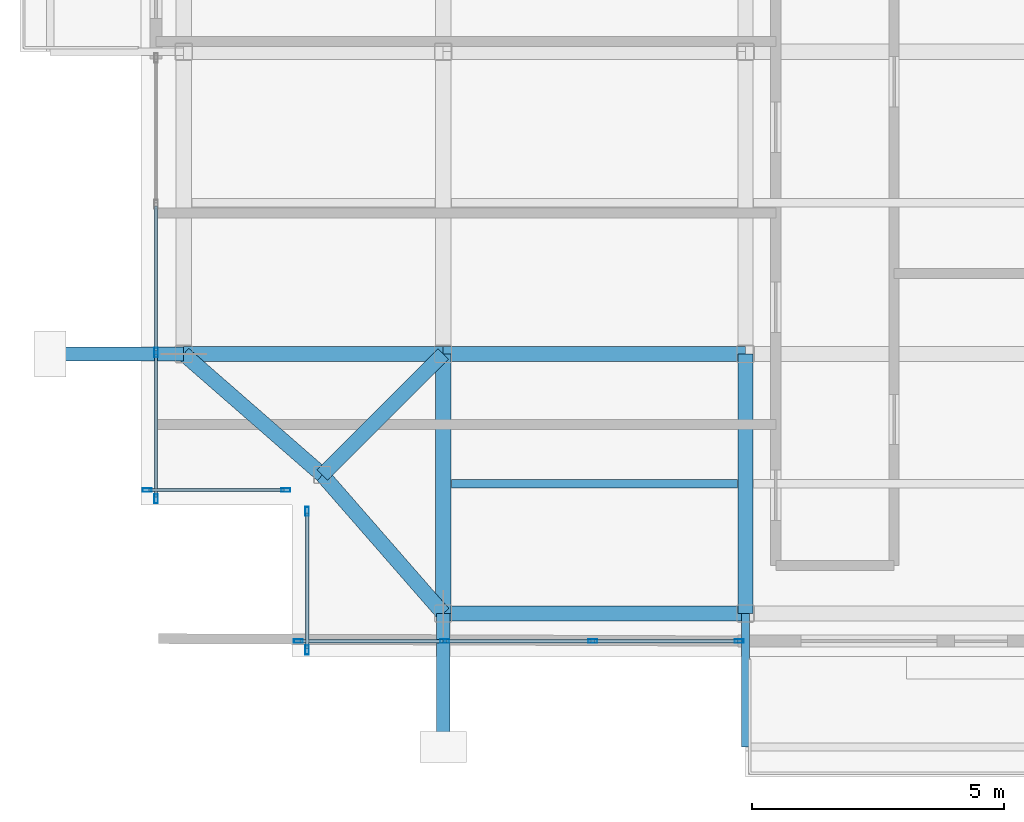
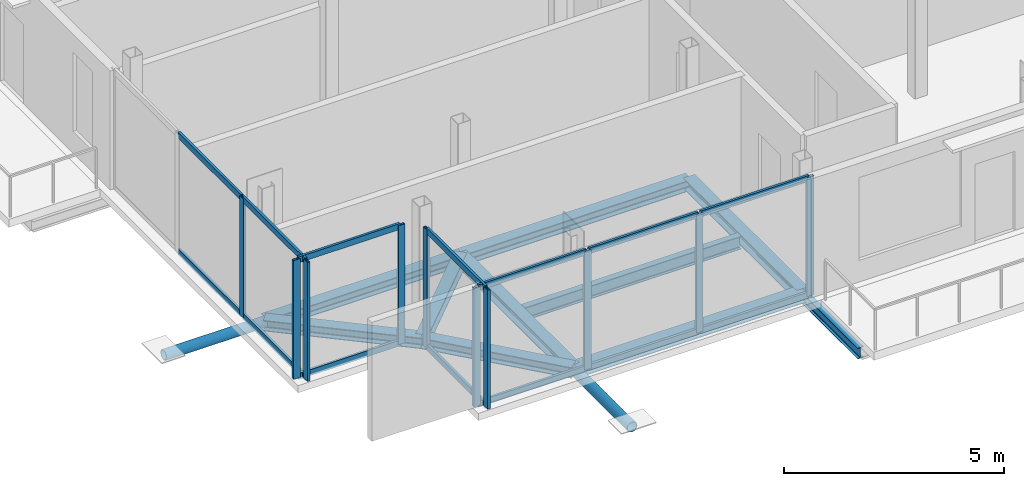
# One storey, part 2 of 18: 26 members, 10 beams, 4 elements without a shape of their own.
"""IFC4 building model written with IfcOpenShell, lengths in metres."""

from ifc_helpers import new_model, si_unit, direction, frame, origin, origin_2d, place, context, subcontext, project, spatial, hollow_rectangle, hollow_circle, i_section, extrude, material, layer, layer_set, material_profile, profile_set, type_object, element, aggregate, save


model = new_model("IFC4")

# Units and contexts
model_context = context("Model", 3, precision=1e-05, world=origin(), true_north=direction((0.0, 1.0)))
body_context = subcontext(model_context, "Body", "Model", "MODEL_VIEW")
ifc_project = project(units=[si_unit("LENGTHUNIT", "METRE"), si_unit("AREAUNIT", "SQUARE_METRE"), si_unit("VOLUMEUNIT", "CUBIC_METRE"), si_unit("PLANEANGLEUNIT", "RADIAN"), si_unit("MASSUNIT", "GRAM", prefix="KILO"), si_unit("THERMODYNAMICTEMPERATUREUNIT", "KELVIN"), si_unit("POWERUNIT", "WATT")], contexts=[model_context])

# Site, building, storey
site_placement = place(None, origin())
site = spatial("IfcSite", under=ifc_project, at=site_placement, CompositionType="ELEMENT")
building_placement = place(site_placement, origin())
building = spatial("IfcBuilding", under=site, at=building_placement, Name="Svarakhadi Broadcast Tower", CompositionType="ELEMENT")
storey_placement = place(building_placement, frame((0.0, 0.0, 278.199951171875)))
storey = spatial("IfcBuildingStorey", under=building, at=storey_placement, Name="L70", CompositionType="ELEMENT", Elevation=278.199951171875)

# Beam
ifc_material_1 = material(Name="Steel S355J2 (IS 2062 E350C)", Category="steel")
ifc_material_profile_1 = material_profile(ifc_material_1, i_section(OverallWidth=0.169921875, OverallDepth=0.360107421875, WebThickness=0.008056640625, FlangeThickness=0.0126953125, FilletRadius=0.01806640625, at=origin_2d()), Name="NPB 360x170x57")
ifc_profile_set_1 = profile_set([ifc_material_profile_1], Name="Steel S355J2 (IS 2062 E350C)")
beam_type_1 = type_object("IfcBeamType", Name="Beam_NPB360", PredefinedType="BEAM", material=ifc_profile_set_1)
beam_1_placement = place(storey_placement, frame((6.159912109375, 3.425048828125, -0.3798828125), z_axis=(1.0, 0.0, 0.0), x_axis=(0.0, 1.0, 0.0)))
element("IfcBeam", 1, at=beam_1_placement, inside=storey, type_object=beam_type_1, Name="L70 Secondary Composite Beam SB004", PredefinedType="BEAM", context=body_context, shape_type="SweptSolid", body=[
    extrude(i_section(OverallWidth=0.169921875, OverallDepth=0.360107421875, WebThickness=0.008056640625, FlangeThickness=0.0126953125, FilletRadius=0.01806640625, at=origin_2d()), origin(), (0.0, 0.0, 1.0), 5.68017578125),
])

# Curtain wall, members
ifc_material_2 = material(Name="Anodised Bronze Aluminium AA 6063-T6", Category="aluminium")
ifc_layer = layer(ifc_material_2, 0.179931640625)
ifc_layer_set = layer_set([ifc_layer], Name="Anodised Bronze Aluminium AA 6063-T6")
curtain_wall_type = type_object("IfcCurtainWallType", Name="CW_Sys_05", PredefinedType="NOTDEFINED", material=ifc_layer_set)
curtain_wall_1_placement = place(storey_placement, origin())
curtain_wall_1 = element("IfcCurtainWall", 2, at=curtain_wall_1_placement, inside=storey, type_object=curtain_wall_type, Name="L70 Unitised Facade Curtain Wall 01", PredefinedType="NOTDEFINED")
ifc_material_profile_2 = material_profile(ifc_material_2, hollow_rectangle(XDim=0.070068359375, YDim=0.179931640625, WallThickness=0.005615234375, at=origin_2d()), Name="ALU MULLION 180x70x6")
ifc_profile_set_2 = profile_set([ifc_material_profile_2], Name="Anodised Bronze Aluminium AA 6063-T6")
member_type_1 = type_object("IfcMemberType", Name="CW_Sys_05_Mul", PredefinedType="MULLION", material=ifc_profile_set_2)
member_1_placement = place(storey_placement, frame((2.875, 3.300048828125, 0.0), z_axis=(0.0, 0.0, 1.0), x_axis=(0.0, -1.0, 0.0)))
member_1 = element("IfcMember", 3, at=member_1_placement, type_object=member_type_1, Name="CW-05 mullion 1", PredefinedType="MULLION", context=body_context, shape_type="SweptSolid", body=[
    extrude(hollow_rectangle(XDim=0.070068359375, YDim=0.179931640625, WallThickness=0.005615234375, at=origin_2d()), origin(), (0.0, 0.0, 1.0), 3.300048828125),
])
member_2_placement = place(storey_placement, frame((0.125, 3.300048828125, 0.0), z_axis=(0.0, 0.0, 1.0), x_axis=(0.0, -1.0, 0.0)))
member_2 = element("IfcMember", 4, at=member_2_placement, type_object=member_type_1, Name="CW-05 mullion 2", PredefinedType="MULLION", context=body_context, shape_type="SweptSolid", body=[
    extrude(hollow_rectangle(XDim=0.070068359375, YDim=0.179931640625, WallThickness=0.005615234375, at=origin_2d()), origin(), (0.0, 0.0, 1.0), 3.300048828125),
])

curtain_wall_2_placement = place(storey_placement, origin())
curtain_wall_2 = element("IfcCurtainWall", 5, at=curtain_wall_2_placement, inside=storey, type_object=curtain_wall_type, Name="L70 West Curtain Wall 02", PredefinedType="NOTDEFINED")
member_3_placement = place(storey_placement, frame((0.300048828125, 3.125, 0.0), z_axis=(0.0, 0.0, 1.0), x_axis=(-1.0, 0.0, 0.0)))
member_3 = element("IfcMember", 6, at=member_3_placement, type_object=member_type_1, Name="CW-05 mullion 1", PredefinedType="MULLION", context=body_context, shape_type="SweptSolid", body=[
    extrude(hollow_rectangle(XDim=0.070068359375, YDim=0.179931640625, WallThickness=0.005615234375, at=origin_2d()), origin(), (0.0, 0.0, 1.0), 3.300048828125),
])
member_4_placement = place(storey_placement, frame((0.300048828125, 6.030029296875, 0.0), z_axis=(0.0, 0.0, 1.0), x_axis=(-1.0, 0.0, 0.0)))
member_4 = element("IfcMember", 7, at=member_4_placement, type_object=member_type_1, Name="CW-05 mullion 2", PredefinedType="MULLION", context=body_context, shape_type="SweptSolid", body=[
    extrude(hollow_rectangle(XDim=0.070068359375, YDim=0.179931640625, WallThickness=0.005615234375, at=origin_2d()), origin(), (0.0, 0.0, 1.0), 3.300048828125),
])

curtain_wall_3_placement = place(storey_placement, origin())
curtain_wall_3 = element("IfcCurtainWall", 8, at=curtain_wall_3_placement, inside=storey, type_object=curtain_wall_type, Name="L70 South Curtain Wall 17", PredefinedType="NOTDEFINED")
member_5_placement = place(storey_placement, frame((11.875, 0.300048828125, 0.0), z_axis=(0.0, 0.0, 1.0), x_axis=(0.0, -1.0, 0.0)))
member_5 = element("IfcMember", 9, at=member_5_placement, type_object=member_type_1, Name="CW-05 mullion 1", PredefinedType="MULLION", context=body_context, shape_type="SweptSolid", body=[
    extrude(hollow_rectangle(XDim=0.070068359375, YDim=0.179931640625, WallThickness=0.005615234375, at=origin_2d()), origin(), (0.0, 0.0, 1.0), 3.300048828125),
])
member_6_placement = place(storey_placement, frame((8.969970703125, 0.300048828125, 0.0), z_axis=(0.0, 0.0, 1.0), x_axis=(0.0, -1.0, 0.0)))
member_6 = element("IfcMember", 10, at=member_6_placement, type_object=member_type_1, Name="CW-05 mullion 2", PredefinedType="MULLION", context=body_context, shape_type="SweptSolid", body=[
    extrude(hollow_rectangle(XDim=0.070068359375, YDim=0.179931640625, WallThickness=0.005615234375, at=origin_2d()), origin(), (0.0, 0.0, 1.0), 3.300048828125),
])
member_7_placement = place(storey_placement, frame((6.030029296875, 0.300048828125, 0.0), z_axis=(0.0, 0.0, 1.0), x_axis=(0.0, -1.0, 0.0)))
member_7 = element("IfcMember", 11, at=member_7_placement, type_object=member_type_1, Name="CW-05 mullion 3", PredefinedType="MULLION", context=body_context, shape_type="SweptSolid", body=[
    extrude(hollow_rectangle(XDim=0.070068359375, YDim=0.179931640625, WallThickness=0.005615234375, at=origin_2d()), origin(), (0.0, 0.0, 1.0), 3.300048828125),
])
member_8_placement = place(storey_placement, frame((3.125, 0.300048828125, 0.0), z_axis=(0.0, 0.0, 1.0), x_axis=(0.0, -1.0, 0.0)))
member_8 = element("IfcMember", 12, at=member_8_placement, type_object=member_type_1, Name="CW-05 mullion 4", PredefinedType="MULLION", context=body_context, shape_type="SweptSolid", body=[
    extrude(hollow_rectangle(XDim=0.070068359375, YDim=0.179931640625, WallThickness=0.005615234375, at=origin_2d()), origin(), (0.0, 0.0, 1.0), 3.300048828125),
])

curtain_wall_4_placement = place(storey_placement, origin())
curtain_wall_4 = element("IfcCurtainWall", 13, at=curtain_wall_4_placement, inside=storey, type_object=curtain_wall_type, Name="L70 Unitised Facade Curtain Wall 18", PredefinedType="NOTDEFINED")
member_9_placement = place(storey_placement, frame((3.300048828125, 0.125, 0.0), z_axis=(0.0, 0.0, 1.0), x_axis=(-1.0, 0.0, 0.0)))
member_9 = element("IfcMember", 14, at=member_9_placement, type_object=member_type_1, Name="CW-05 mullion 1", PredefinedType="MULLION", context=body_context, shape_type="SweptSolid", body=[
    extrude(hollow_rectangle(XDim=0.070068359375, YDim=0.179931640625, WallThickness=0.005615234375, at=origin_2d()), origin(), (0.0, 0.0, 1.0), 3.300048828125),
])
member_10_placement = place(storey_placement, frame((3.300048828125, 2.875, 0.0), z_axis=(0.0, 0.0, 1.0), x_axis=(-1.0, 0.0, 0.0)))
member_10 = element("IfcMember", 15, at=member_10_placement, type_object=member_type_1, Name="CW-05 mullion 2", PredefinedType="MULLION", context=body_context, shape_type="SweptSolid", body=[
    extrude(hollow_rectangle(XDim=0.070068359375, YDim=0.179931640625, WallThickness=0.005615234375, at=origin_2d()), origin(), (0.0, 0.0, 1.0), 3.300048828125),
])

# Member
ifc_material_profile_3 = material_profile(ifc_material_2, hollow_rectangle(XDim=0.06494140625, YDim=0.1650390625, WallThickness=0.0048828125, at=origin_2d()), Name="ALU TRANSOM 165x65x5")
ifc_profile_set_3 = profile_set([ifc_material_profile_3], Name="Anodised Bronze Aluminium AA 6063-T6")
member_type_2 = type_object("IfcMemberType", Name="CW_Sys_05_Trn", PredefinedType="USERDEFINED", material=ifc_profile_set_3)
member_11_placement = place(storey_placement, frame((2.840087890625, 3.300048828125, 0.032470703125), z_axis=(-1.0, 0.0, 0.0), x_axis=(0.0, -1.0, 0.0)))
member_11 = element("IfcMember", 16, at=member_11_placement, type_object=member_type_2, Name="CW-05 transom 1.1", ObjectType="TRANSOM", PredefinedType="USERDEFINED", context=body_context, shape_type="SweptSolid", body=[
    extrude(hollow_rectangle(XDim=0.06494140625, YDim=0.1650390625, WallThickness=0.0048828125, at=origin_2d()), origin(), (0.0, 0.0, 1.0), 2.68017578125),
])

member_12_placement = place(storey_placement, frame((2.840087890625, 3.300048828125, 3.267578125), z_axis=(-1.0, 0.0, 0.0), x_axis=(0.0, -1.0, 0.0)))
member_12 = element("IfcMember", 17, at=member_12_placement, type_object=member_type_2, Name="CW-05 transom 1.2", ObjectType="TRANSOM", PredefinedType="USERDEFINED", context=body_context, shape_type="SweptSolid", body=[
    extrude(hollow_rectangle(XDim=0.06494140625, YDim=0.1650390625, WallThickness=0.0048828125, at=origin_2d()), origin(), (0.0, 0.0, 1.0), 2.68017578125),
])

aggregate(curtain_wall_1, [member_1, member_2, member_11, member_12])

member_13_placement = place(storey_placement, frame((0.300048828125, 3.159912109375, 0.032470703125), z_axis=(0.0, 1.0, 0.0), x_axis=(-1.0, 0.0, 0.0)))
member_13 = element("IfcMember", 18, at=member_13_placement, type_object=member_type_2, Name="CW-05 transom 1.1", ObjectType="TRANSOM", PredefinedType="USERDEFINED", context=body_context, shape_type="SweptSolid", body=[
    extrude(hollow_rectangle(XDim=0.06494140625, YDim=0.1650390625, WallThickness=0.0048828125, at=origin_2d()), origin(), (0.0, 0.0, 1.0), 2.835205078125),
])

member_14_placement = place(storey_placement, frame((0.300048828125, 3.159912109375, 3.267578125), z_axis=(0.0, 1.0, 0.0), x_axis=(-1.0, 0.0, 0.0)))
member_14 = element("IfcMember", 19, at=member_14_placement, type_object=member_type_2, Name="CW-05 transom 1.2", ObjectType="TRANSOM", PredefinedType="USERDEFINED", context=body_context, shape_type="SweptSolid", body=[
    extrude(hollow_rectangle(XDim=0.06494140625, YDim=0.1650390625, WallThickness=0.0048828125, at=origin_2d()), origin(), (0.0, 0.0, 1.0), 2.835205078125),
])

member_15_placement = place(storey_placement, frame((0.300048828125, 6.06494140625, 0.032470703125), z_axis=(0.0, 1.0, 0.0), x_axis=(-1.0, 0.0, 0.0)))
member_15 = element("IfcMember", 20, at=member_15_placement, type_object=member_type_2, Name="CW-05 transom 2.1", ObjectType="TRANSOM", PredefinedType="USERDEFINED", context=body_context, shape_type="SweptSolid", body=[
    extrude(hollow_rectangle(XDim=0.06494140625, YDim=0.1650390625, WallThickness=0.0048828125, at=origin_2d()), origin(), (0.0, 0.0, 1.0), 2.8701171875),
])

member_16_placement = place(storey_placement, frame((0.300048828125, 6.06494140625, 3.267578125), z_axis=(0.0, 1.0, 0.0), x_axis=(-1.0, 0.0, 0.0)))
member_16 = element("IfcMember", 21, at=member_16_placement, type_object=member_type_2, Name="CW-05 transom 2.2", ObjectType="TRANSOM", PredefinedType="USERDEFINED", context=body_context, shape_type="SweptSolid", body=[
    extrude(hollow_rectangle(XDim=0.06494140625, YDim=0.1650390625, WallThickness=0.0048828125, at=origin_2d()), origin(), (0.0, 0.0, 1.0), 2.8701171875),
])

aggregate(curtain_wall_2, [member_3, member_4, member_13, member_14, member_15, member_16])

member_17_placement = place(storey_placement, frame((11.840087890625, 0.300048828125, 0.032470703125), z_axis=(-1.0, 0.0, 0.0), x_axis=(0.0, -1.0, 0.0)))
member_17 = element("IfcMember", 22, at=member_17_placement, type_object=member_type_2, Name="CW-05 transom 1.1", ObjectType="TRANSOM", PredefinedType="USERDEFINED", context=body_context, shape_type="SweptSolid", body=[
    extrude(hollow_rectangle(XDim=0.06494140625, YDim=0.1650390625, WallThickness=0.0048828125, at=origin_2d()), origin(), (0.0, 0.0, 1.0), 2.835205078125),
])

member_18_placement = place(storey_placement, frame((11.840087890625, 0.300048828125, 3.267578125), z_axis=(-1.0, 0.0, 0.0), x_axis=(0.0, -1.0, 0.0)))
member_18 = element("IfcMember", 23, at=member_18_placement, type_object=member_type_2, Name="CW-05 transom 1.2", ObjectType="TRANSOM", PredefinedType="USERDEFINED", context=body_context, shape_type="SweptSolid", body=[
    extrude(hollow_rectangle(XDim=0.06494140625, YDim=0.1650390625, WallThickness=0.0048828125, at=origin_2d()), origin(), (0.0, 0.0, 1.0), 2.835205078125),
])

member_19_placement = place(storey_placement, frame((8.93505859375, 0.300048828125, 0.032470703125), z_axis=(-1.0, 0.0, 0.0), x_axis=(0.0, -1.0, 0.0)))
member_19 = element("IfcMember", 24, at=member_19_placement, type_object=member_type_2, Name="CW-05 transom 2.1", ObjectType="TRANSOM", PredefinedType="USERDEFINED", context=body_context, shape_type="SweptSolid", body=[
    extrude(hollow_rectangle(XDim=0.06494140625, YDim=0.1650390625, WallThickness=0.0048828125, at=origin_2d()), origin(), (0.0, 0.0, 1.0), 2.8701171875),
])

member_20_placement = place(storey_placement, frame((8.93505859375, 0.300048828125, 3.267578125), z_axis=(-1.0, 0.0, 0.0), x_axis=(0.0, -1.0, 0.0)))
member_20 = element("IfcMember", 25, at=member_20_placement, type_object=member_type_2, Name="CW-05 transom 2.2", ObjectType="TRANSOM", PredefinedType="USERDEFINED", context=body_context, shape_type="SweptSolid", body=[
    extrude(hollow_rectangle(XDim=0.06494140625, YDim=0.1650390625, WallThickness=0.0048828125, at=origin_2d()), origin(), (0.0, 0.0, 1.0), 2.8701171875),
])

member_21_placement = place(storey_placement, frame((5.9951171875, 0.300048828125, 0.032470703125), z_axis=(-1.0, 0.0, 0.0), x_axis=(0.0, -1.0, 0.0)))
member_21 = element("IfcMember", 26, at=member_21_placement, type_object=member_type_2, Name="CW-05 transom 3.1", ObjectType="TRANSOM", PredefinedType="USERDEFINED", context=body_context, shape_type="SweptSolid", body=[
    extrude(hollow_rectangle(XDim=0.06494140625, YDim=0.1650390625, WallThickness=0.0048828125, at=origin_2d()), origin(), (0.0, 0.0, 1.0), 2.835205078125),
])

member_22_placement = place(storey_placement, frame((5.9951171875, 0.300048828125, 3.267578125), z_axis=(-1.0, 0.0, 0.0), x_axis=(0.0, -1.0, 0.0)))
member_22 = element("IfcMember", 27, at=member_22_placement, type_object=member_type_2, Name="CW-05 transom 3.2", ObjectType="TRANSOM", PredefinedType="USERDEFINED", context=body_context, shape_type="SweptSolid", body=[
    extrude(hollow_rectangle(XDim=0.06494140625, YDim=0.1650390625, WallThickness=0.0048828125, at=origin_2d()), origin(), (0.0, 0.0, 1.0), 2.835205078125),
])

aggregate(curtain_wall_3, [member_5, member_6, member_7, member_8, member_17, member_18, member_19, member_20, member_21, member_22])

member_23_placement = place(storey_placement, frame((3.300048828125, 0.159912109375, 0.032470703125), z_axis=(0.0, 1.0, 0.0), x_axis=(-1.0, 0.0, 0.0)))
member_23 = element("IfcMember", 28, at=member_23_placement, type_object=member_type_2, Name="CW-05 transom 1.1", ObjectType="TRANSOM", PredefinedType="USERDEFINED", context=body_context, shape_type="SweptSolid", body=[
    extrude(hollow_rectangle(XDim=0.06494140625, YDim=0.1650390625, WallThickness=0.0048828125, at=origin_2d()), origin(), (0.0, 0.0, 1.0), 2.68017578125),
])

member_24_placement = place(storey_placement, frame((3.300048828125, 0.159912109375, 3.267578125), z_axis=(0.0, 1.0, 0.0), x_axis=(-1.0, 0.0, 0.0)))
member_24 = element("IfcMember", 29, at=member_24_placement, type_object=member_type_2, Name="CW-05 transom 1.2", ObjectType="TRANSOM", PredefinedType="USERDEFINED", context=body_context, shape_type="SweptSolid", body=[
    extrude(hollow_rectangle(XDim=0.06494140625, YDim=0.1650390625, WallThickness=0.0048828125, at=origin_2d()), origin(), (0.0, 0.0, 1.0), 2.68017578125),
])

aggregate(curtain_wall_4, [member_9, member_10, member_23, member_24])

# Members
ifc_material_3 = material(Name="Steel S460ML (IS 2062 E450BR)", Category="steel")
ifc_material_profile_4 = material_profile(ifc_material_3, hollow_circle(Radius=0.136474609375, WallThickness=0.012451171875, at=origin_2d()), Name="CHS 273x12.5")
ifc_profile_set_4 = profile_set([ifc_material_profile_4], Name="Steel S460ML (IS 2062 E450BR)")
member_type_3 = type_object("IfcMemberType", Name="Exo_Radial_Strut_Z3", PredefinedType="STRUT", material=ifc_profile_set_4)
for number, where, z_axis, x_axis, name in (
    (30, (6.0, -1.800048828125, -0.33642578125), (0.0, 1.0, 0.0), (-1.0, 0.0, 0.0), "L70 Exoskeleton Radial Tie Strut S01"),
    (31, (-1.800048828125, 6.0, -0.33642578125), (1.0, 0.0, 0.0), (0.0, 1.0, 0.0), "L70 Exoskeleton Radial Tie Strut W04"),
):
    element("IfcMember", number, at=place(storey_placement, frame(where, z_axis=z_axis, x_axis=x_axis)), inside=storey, type_object=member_type_3, Name=name, PredefinedType="STRUT", context=body_context, shape_type="SweptSolid", body=[
        extrude(hollow_circle(Radius=0.136474609375, WallThickness=0.012451171875, at=origin_2d()), origin(), (0.0, 0.0, 1.0), 2.650146484375),
    ])

# Beams
ifc_material_profile_5 = material_profile(ifc_material_1, i_section(OverallWidth=0.300048828125, OverallDepth=0.300048828125, WebThickness=0.010986328125, FlangeThickness=0.01904296875, FilletRadius=0.027099609375, at=origin_2d()), Name="WPB 300x300x117")
ifc_profile_set_5 = profile_set([ifc_material_profile_5], Name="Steel S355J2 (IS 2062 E350C)")
beam_type_2 = type_object("IfcBeamType", Name="Girder_WPB300", PredefinedType="USERDEFINED", material=ifc_profile_set_5)
beam_2_placement = place(storey_placement, frame((3.60009765625, 3.60009765625, -0.349853515625), z_axis=(0.707106781187, 0.707106781187, 0.0), x_axis=(-0.707106781187, 0.707106781187, 0.0)))
element("IfcBeam", 32, at=beam_2_placement, inside=storey, type_object=beam_type_2, Name="L70 Corner Tie Girder G001", ObjectType="GIRDER", PredefinedType="USERDEFINED", context=body_context, shape_type="SweptSolid", body=[
    extrude(i_section(OverallWidth=0.300048828125, OverallDepth=0.300048828125, WebThickness=0.010986328125, FlangeThickness=0.01904296875, FilletRadius=0.027099609375, at=origin_2d()), origin(), (0.0, 0.0, 1.0), 3.39404296875),
])
for number, where, z_axis, x_axis, name in (
    (33, (3.60009765625, 3.60009765625, -0.349853515625), (-0.753437912176, 0.657519058655, 0.0), (-0.657519058655, -0.753437912176, 0.0), "L70 Corner Tie Girder G002"),
    (34, (3.60009765625, 3.60009765625, -0.349853515625), (0.657519058655, -0.753437912176, 0.0), (0.753437912176, 0.657519058655, 0.0), "L70 Corner Tie Girder G003"),
):
    element("IfcBeam", number, at=place(storey_placement, frame(where, z_axis=z_axis, x_axis=x_axis)), inside=storey, type_object=beam_type_2, Name=name, ObjectType="GIRDER", PredefinedType="USERDEFINED", context=body_context, shape_type="SweptSolid", body=[
        extrude(i_section(OverallWidth=0.300048828125, OverallDepth=0.300048828125, WebThickness=0.010986328125, FlangeThickness=0.01904296875, FilletRadius=0.027099609375, at=origin_2d()), origin(), (0.0, 0.0, 1.0), 3.64990234375),
    ])
beam_3_placement = place(storey_placement, frame((6.0, 0.85009765625, -0.349853515625), z_axis=(1.0, 0.0, 0.0), x_axis=(0.0, 1.0, 0.0)))
element("IfcBeam", 35, at=beam_3_placement, inside=storey, type_object=beam_type_2, Name="L70 Primary E-W Girder G004", ObjectType="GIRDER", PredefinedType="USERDEFINED", context=body_context, shape_type="SweptSolid", body=[
    extrude(i_section(OverallWidth=0.300048828125, OverallDepth=0.300048828125, WebThickness=0.010986328125, FlangeThickness=0.01904296875, FilletRadius=0.027099609375, at=origin_2d()), origin(), (0.0, 0.0, 1.0), 6.0),
])
beam_4_placement = place(storey_placement, frame((0.85009765625, 6.0, -0.349853515625), z_axis=(1.0, 0.0, 0.0), x_axis=(0.0, 1.0, 0.0)))
element("IfcBeam", 36, at=beam_4_placement, inside=storey, type_object=beam_type_2, Name="L70 Primary E-W Girder G008", ObjectType="GIRDER", PredefinedType="USERDEFINED", context=body_context, shape_type="SweptSolid", body=[
    extrude(i_section(OverallWidth=0.300048828125, OverallDepth=0.300048828125, WebThickness=0.010986328125, FlangeThickness=0.01904296875, FilletRadius=0.027099609375, at=origin_2d()), origin(), (0.0, 0.0, 1.0), 5.14990234375),
])
beam_5_placement = place(storey_placement, frame((6.0, 6.0, -0.349853515625), z_axis=(1.0, 0.0, 0.0), x_axis=(0.0, 1.0, 0.0)))
element("IfcBeam", 37, at=beam_5_placement, inside=storey, type_object=beam_type_2, Name="L70 Primary E-W Girder G009", ObjectType="GIRDER", PredefinedType="USERDEFINED", context=body_context, shape_type="SweptSolid", body=[
    extrude(i_section(OverallWidth=0.300048828125, OverallDepth=0.300048828125, WebThickness=0.010986328125, FlangeThickness=0.01904296875, FilletRadius=0.027099609375, at=origin_2d()), origin(), (0.0, 0.0, 1.0), 6.0),
])
for number, where, z_axis, x_axis, name in (
    (38, (6.0, 0.85009765625, -0.349853515625), (0.0, 1.0, 0.0), (-1.0, 0.0, 0.0), "L70 Primary N-S Girder G029"),
    (39, (12.0, 0.85009765625, -0.349853515625), (0.0, 1.0, 0.0), (-1.0, 0.0, 0.0), "L70 Primary N-S Girder G033"),
):
    element("IfcBeam", number, at=place(storey_placement, frame(where, z_axis=z_axis, x_axis=x_axis)), inside=storey, type_object=beam_type_2, Name=name, ObjectType="GIRDER", PredefinedType="USERDEFINED", context=body_context, shape_type="SweptSolid", body=[
        extrude(i_section(OverallWidth=0.300048828125, OverallDepth=0.300048828125, WebThickness=0.010986328125, FlangeThickness=0.01904296875, FilletRadius=0.027099609375, at=origin_2d()), origin(), (0.0, 0.0, 1.0), 5.14990234375),
    ])
ifc_material_profile_6 = material_profile(ifc_material_1, i_section(OverallWidth=0.14990234375, OverallDepth=0.300048828125, WebThickness=0.007080078125, FlangeThickness=0.0107421875, FilletRadius=0.014892578125, at=origin_2d()), Name="NPB 300x150x37")
ifc_profile_set_6 = profile_set([ifc_material_profile_6], Name="Steel S355J2 (IS 2062 E350C)")
beam_type_3 = type_object("IfcBeamType", Name="Spandrel_NPB300", PredefinedType="SPANDREL", material=ifc_profile_set_6)
beam_6_placement = place(storey_placement, frame((12.0, 0.85009765625, -0.375), z_axis=(0.0, -1.0, 0.0), x_axis=(1.0, 0.0, 0.0)))
element("IfcBeam", 40, at=beam_6_placement, inside=storey, type_object=beam_type_3, Name="L70 Balcony Cantilever Bracket 1A", PredefinedType="SPANDREL", context=body_context, shape_type="SweptSolid", body=[
    extrude(i_section(OverallWidth=0.14990234375, OverallDepth=0.300048828125, WebThickness=0.007080078125, FlangeThickness=0.0107421875, FilletRadius=0.014892578125, at=origin_2d()), origin(), (0.0, 0.0, 1.0), 2.650146484375),
])

save(model, "model.ifc")
